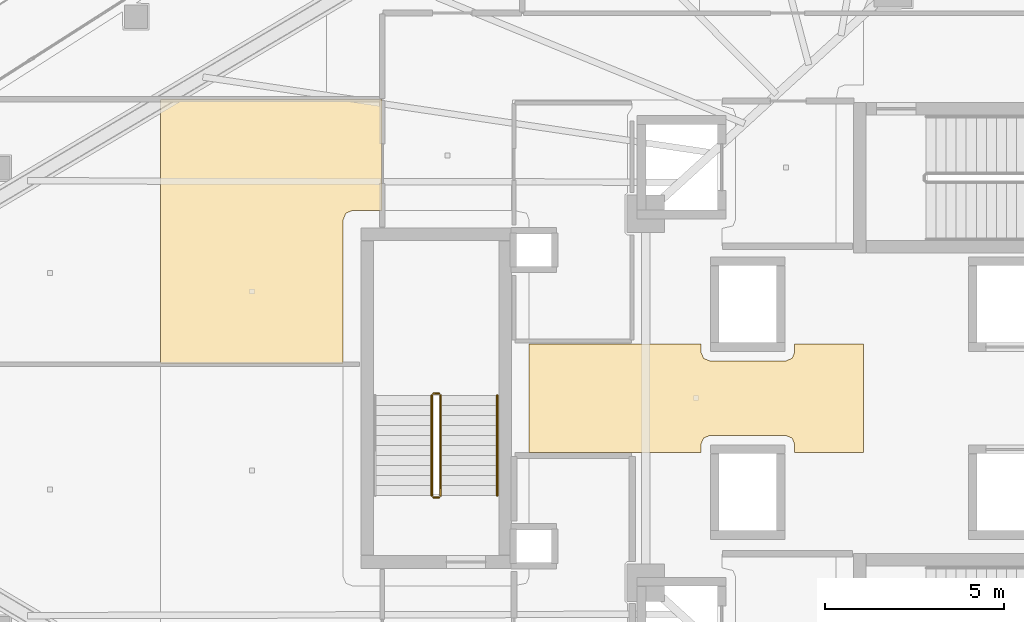
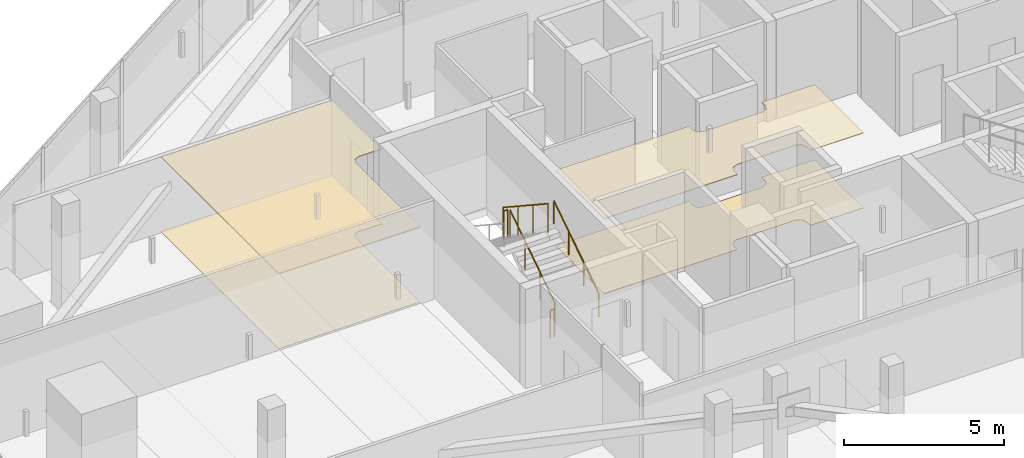
# One storey, part 37 of 43: 5 railings, 4 coverings.
"""IFC4 building model written with IfcOpenShell, lengths in metres."""

import ifcopenshell
import ifcopenshell.guid

model = None  # the IFC model being written
_history = None  # IfcOwnerHistory: only IFC2X3 demands one
_inside = {}  # id of a spatial element -> (the spatial element, [elements in it])
_under = {}  # id of a project, library or spatial element -> (it, [spatial elements below it])
_declared = {}  # id of a project -> (the project, [libraries it declares])
_typed = {}  # id of a type object -> (the type object, [elements of that type])
_made_of = {}  # id of a material, layer set ... -> (it, [elements and type objects made of it])


def new_model(schema):
    """Start an empty IFC model of exactly this schema.

    Asked for "IFC4X3", IfcOpenShell would pick the latest addendum, in which some entities
    have other attributes; the version numbers below select the first issue.
    IFC2X3 requires an IfcOwnerHistory on every rooted entity: one is made here for all.
    """
    global model, _history
    if schema == "IFC4X3":
        model = ifcopenshell.file(schema_version=(4, 3, 0, 0))
    else:
        model = ifcopenshell.file(schema=schema)
    _inside.clear()
    _under.clear()
    _declared.clear()
    _typed.clear()
    _made_of.clear()
    _history = None
    if model.schema == "IFC2X3":
        org = make("IfcOrganization", Name="unknown")
        user = make(
            "IfcPersonAndOrganization",
            ThePerson=make("IfcPerson", FamilyName="unknown"),
            TheOrganization=org,
        )
        app = make(
            "IfcApplication",
            ApplicationDeveloper=org,
            Version="unknown",
            ApplicationFullName="unknown",
            ApplicationIdentifier="unknown",
        )
        _history = make(
            "IfcOwnerHistory",
            OwningUser=user,
            OwningApplication=app,
            ChangeAction="ADDED",
            CreationDate=0,
        )
    return model


def make(cls, **values):
    """One entity of the class cls with the attributes given. An attribute that is None is left unset."""
    return model.create_entity(
        cls, **{name: value for name, value in values.items() if value is not None}
    )


def rooted(cls, **values):
    """An entity with a GlobalId (a new one), such as an element, a storey or a relation."""
    return make(cls, GlobalId=ifcopenshell.guid.new(), OwnerHistory=_history, **values)


def si_unit(unit_type, name, prefix=None):
    """IfcSIUnit, for example si_unit("LENGTHUNIT", "METRE", prefix="MILLI")."""
    return make("IfcSIUnit", UnitType=unit_type, Prefix=prefix, Name=name)


def assignment(units):
    """IfcUnitAssignment: the units of a project."""
    return None if units is None else make("IfcUnitAssignment", Units=units)


def point(xyz):
    """IfcCartesianPoint."""
    return None if xyz is None else make("IfcCartesianPoint", Coordinates=xyz)


def direction(xyz):
    """IfcDirection."""
    return None if xyz is None else make("IfcDirection", DirectionRatios=xyz)


def frame(location, z_axis=None, x_axis=None):
    """IfcAxis2Placement3D, a coordinate frame: its origin and axes. An axis left out is left unset."""
    return make(
        "IfcAxis2Placement3D",
        Location=point(location),
        Axis=direction(z_axis),
        RefDirection=direction(x_axis),
    )


def frame_2d(location, x_axis=None):
    """IfcAxis2Placement2D, a coordinate frame in the plane: its origin and x axis."""
    return make(
        "IfcAxis2Placement2D", Location=point(location), RefDirection=direction(x_axis)
    )


def origin():
    """The frame at (0, 0, 0) with its axes left unset."""
    return frame((0.0, 0.0, 0.0))


def origin_2d():
    """The frame at (0, 0) in the plane with its x axis left unset."""
    return frame_2d((0.0, 0.0))


def place(relative_to, where):
    """IfcLocalPlacement: puts the frame where relative to a parent placement (None: the world)."""
    return make(
        "IfcLocalPlacement", PlacementRelTo=relative_to, RelativePlacement=where
    )


def context(
    kind, dimensions, precision=None, world=None, true_north=None, identifier=None
):
    """IfcGeometricRepresentationContext, for example the 3D "Model" context."""
    return make(
        "IfcGeometricRepresentationContext",
        ContextIdentifier=identifier,
        ContextType=kind,
        CoordinateSpaceDimension=dimensions,
        Precision=precision,
        WorldCoordinateSystem=world,
        TrueNorth=true_north,
    )


def subcontext(parent, identifier, kind, view, scale=None):
    """IfcGeometricRepresentationSubContext, for example "Body" below "Model"."""
    return make(
        "IfcGeometricRepresentationSubContext",
        ContextIdentifier=identifier,
        ContextType=kind,
        ParentContext=parent,
        TargetScale=scale,
        TargetView=view,
    )


def project(units=None, contexts=None):
    """IfcProject with its units and contexts."""
    return rooted(
        "IfcProject",
        Name="project",
        RepresentationContexts=contexts,
        UnitsInContext=assignment(units),
    )


def spatial(cls, under=None, at=None, **own):
    """A site, building, storey or space (cls), placed at a placement, below another one or the project."""
    s = rooted(cls, ObjectPlacement=at, **own)
    if under is not None:
        _under.setdefault(under.id(), (under, []))[1].append(s)
    return s


def polyline(points):
    """IfcPolyline through the points."""
    return make("IfcPolyline", Points=[point(p) for p in points])


def profile(cls, at=None, kind="AREA", **sizes):
    """A parametric profile (cls). Its sizes go by their IFC names, for example OverallWidth=200.0."""
    return make(cls, ProfileType=kind, Position=at, **sizes)


def circle(**sizes):
    """IfcCircleProfileDef."""
    return profile("IfcCircleProfileDef", **sizes)


def outline(outer, holes=None, kind="AREA"):
    """IfcArbitraryClosedProfileDef: a profile drawn as a closed curve; with holes, ...WithVoids."""
    if holes is None:
        return make("IfcArbitraryClosedProfileDef", ProfileType=kind, OuterCurve=outer)
    return make(
        "IfcArbitraryProfileDefWithVoids",
        ProfileType=kind,
        OuterCurve=outer,
        InnerCurves=holes,
    )


def extrude(swept, where, along, depth):
    """IfcExtrudedAreaSolid: the profile swept, set in the frame where, extruded along a direction by depth."""
    return make(
        "IfcExtrudedAreaSolid",
        SweptArea=swept,
        Position=where,
        ExtrudedDirection=direction(along),
        Depth=depth,
    )


def shape(context_of_items, identifier, shape_type, items):
    """IfcShapeRepresentation: the items that make up one representation, for example the "Body"."""
    return make(
        "IfcShapeRepresentation",
        ContextOfItems=context_of_items,
        RepresentationIdentifier=identifier,
        RepresentationType=shape_type,
        Items=items,
    )


def material(Name=None, Category=None):
    """IfcMaterial."""
    return make("IfcMaterial", Name=Name, Category=Category)


def layer(
    of_material, thickness, ventilated=None, Name=None, Category=None, Priority=None
):
    """IfcMaterialLayer: one layer of a wall or slab, of a material (None: an air gap)."""
    return make(
        "IfcMaterialLayer",
        Material=of_material,
        LayerThickness=thickness,
        IsVentilated=ventilated,
        Name=Name,
        Category=Category,
        Priority=Priority,
    )


def layer_set(layers, Name=None):
    """IfcMaterialLayerSet."""
    return make("IfcMaterialLayerSet", MaterialLayers=layers, LayerSetName=Name)


def made_of(thing, what):
    """Note that an element or type object is made of a material, layer set ...; save() writes the relation."""
    if what is not None:
        _made_of.setdefault(what.id(), (what, []))[1].append(thing)
    return thing


def type_object(cls, material=None, **own):
    """A type object (cls), such as IfcWallType, which elements share."""
    return made_of(rooted(cls, **own), material)


def element(
    cls,
    number,
    at=None,
    inside=None,
    cuts=None,
    type_object=None,
    material=None,
    context=None,
    identifier="Body",
    shape_type=None,
    held_by="IfcProductDefinitionShape",
    body=None,
    shapes=None,
    **own,
):
    """One element of the class cls, such as IfcWall. Its Tag is "e" and its number.

    at: its placement. inside: the storey or other place that contains it. cuts: it is an
    opening in that element (IfcRelVoidsElement). A single representation is given by context,
    identifier, shape_type and body (its items); several are given by shapes. held_by: the class
    of the entity that holds the representations. save() writes the other relations.
    """
    e = rooted(cls, Tag="e%d" % number, ObjectPlacement=at, **own)
    if body is not None:
        shapes = [shape(context, identifier, shape_type, body)]
    if shapes is not None:
        e.Representation = make(held_by, Representations=shapes)
    if inside is not None:
        _inside.setdefault(inside.id(), (inside, []))[1].append(e)
    if cuts is not None:
        rooted(
            "IfcRelVoidsElement", RelatingBuildingElement=cuts, RelatedOpeningElement=e
        )
    if type_object is not None:
        _typed.setdefault(type_object.id(), (type_object, []))[1].append(e)
    return made_of(e, material)


def aggregate(whole, parts):
    """IfcRelAggregates: a whole, such as a stair, and the parts it consists of."""
    return rooted("IfcRelAggregates", RelatingObject=whole, RelatedObjects=parts)


def save(model, path):
    """Write the relations noted so far, then the file.

    IfcRelAggregates (storeys below a building ...), IfcRelContainedInSpatialStructure (elements
    in a storey), IfcRelDefinesByType, IfcRelAssociatesMaterial and IfcRelDeclares: one each for
    every whole, place, type object, material and project.
    """
    for whole, parts in _under.values():
        aggregate(whole, parts)
    for where, things in _inside.values():
        rooted(
            "IfcRelContainedInSpatialStructure",
            RelatedElements=things,
            RelatingStructure=where,
        )
    for kind, things in _typed.values():
        rooted("IfcRelDefinesByType", RelatedObjects=things, RelatingType=kind)
    for what, things in _made_of.values():
        rooted("IfcRelAssociatesMaterial", RelatedObjects=things, RelatingMaterial=what)
    for by, libraries in _declared.values():
        rooted("IfcRelDeclares", RelatingContext=by, RelatedDefinitions=libraries)
    model.write(path)


model = new_model("IFC4")

# Units and contexts
model_context = context("Model", 3, precision=1e-05, world=origin(), true_north=direction((0.0, 1.0)))
body_context = subcontext(model_context, "Body", "Model", "MODEL_VIEW")
ifc_project = project(units=[si_unit("LENGTHUNIT", "METRE"), si_unit("AREAUNIT", "SQUARE_METRE"), si_unit("VOLUMEUNIT", "CUBIC_METRE"), si_unit("PLANEANGLEUNIT", "RADIAN"), si_unit("MASSUNIT", "GRAM", prefix="KILO")], contexts=[model_context])

# Site, building, storey
site_placement = place(None, origin())
site = spatial("IfcSite", under=ifc_project, at=site_placement, CompositionType="ELEMENT")
building_placement = place(site_placement, origin())
building = spatial("IfcBuilding", under=site, at=building_placement, Name="Qorvath Tower", CompositionType="ELEMENT")
storey_placement = place(building_placement, frame((0.0, 0.0, 150.300048828125)))
storey = spatial("IfcBuildingStorey", under=building, at=storey_placement, Name="L34", CompositionType="ELEMENT", Elevation=150.300048828125)

# Coverings
ifc_material_1 = material(Name="Acoustic mineral fibre ceiling tile", Category="gypsum")
ifc_layer_1 = layer(ifc_material_1, 0.030029296875)
ifc_layer_set_1 = layer_set([ifc_layer_1], Name="COV-CEIL")
covering_type_1 = type_object("IfcCoveringType", Name="COV-CEIL", PredefinedType="CEILING", material=ifc_layer_set_1)
covering_1_placement = place(storey_placement, frame((0.0, 0.0, 2.849853515625)))
element("IfcCovering", 1, at=covering_1_placement, inside=storey, type_object=covering_type_1, Name="L34 Suspended Acoustic Ceiling 008", PredefinedType="CEILING", context=body_context, shape_type="SweptSolid", body=[
    extrude(outline(polyline([(-24.421142578125, -1.514892578125), (-24.421142578125, 1.514892578125), (-26.340087890625, 1.514892578125), (-26.340087890625, 1.2900390625), (-26.413330078125, 1.11328125), (-26.590087890625, 1.0400390625), (-28.7099609375, 1.0400390625), (-28.88671875, 1.11328125), (-28.9599609375, 1.2900390625), (-28.9599609375, 1.514892578125), (-33.760009765625, 1.514892578125), (-33.760009765625, -1.514892578125), (-28.9599609375, -1.514892578125), (-28.9599609375, -1.2900390625), (-28.88671875, -1.11328125), (-28.7099609375, -1.0400390625), (-26.590087890625, -1.0400390625), (-26.413330078125, -1.11328125), (-26.340087890625, -1.2900390625), (-26.340087890625, -1.514892578125), (-24.421142578125, -1.514892578125)])), origin(), (0.0, 0.0, 1.0), 0.030029296875),
])
covering_2_placement = place(storey_placement, frame((0.0, 0.0, 2.849853515625)))
element("IfcCovering", 2, at=covering_2_placement, inside=storey, type_object=covering_type_1, Name="L34 Suspended Acoustic Ceiling 032", PredefinedType="CEILING", context=body_context, shape_type="SweptSolid", body=[
    extrude(outline(polyline([(-37.863037109375, 8.3369140625), (-44.051513671875, 8.3369140625), (-44.051513671875, 0.96630859375), (-38.949951171875, 0.96630859375), (-38.949951171875, 4.989990234375), (-38.876708984375, 5.166748046875), (-38.699951171875, 5.239990234375), (-37.863037109375, 5.239990234375), (-37.863037109375, 8.3369140625)])), origin(), (0.0, 0.0, 1.0), 0.030029296875),
])
ifc_material_2 = material(Name="Low-VOC modular carpet tile", Category="textile")
ifc_layer_2 = layer(ifc_material_2, 0.014892578125)
ifc_layer_set_2 = layer_set([ifc_layer_2], Name="COV-FLOOR-CPT")
covering_type_2 = type_object("IfcCoveringType", Name="COV-FLOOR-CPT", PredefinedType="FLOORING", material=ifc_layer_set_2)
covering_3_placement = place(storey_placement, origin())
element("IfcCovering", 3, at=covering_3_placement, inside=storey, type_object=covering_type_2, Name="L34 Floor Finish 032", PredefinedType="FLOORING", context=body_context, shape_type="SweptSolid", body=[
    extrude(outline(polyline([(-37.863037109375, 8.3369140625), (-44.051513671875, 8.3369140625), (-44.051513671875, 0.96630859375), (-38.949951171875, 0.96630859375), (-38.949951171875, 4.989990234375), (-38.876708984375, 5.166748046875), (-38.699951171875, 5.239990234375), (-37.863037109375, 5.239990234375), (-37.863037109375, 8.3369140625)])), origin(), (0.0, 0.0, 1.0), 0.014892578125),
])
ifc_material_3 = material(Name="Polished epoxy terrazzo flooring", Category="concrete")
ifc_layer_3 = layer(ifc_material_3, 0.02001953125)
ifc_layer_set_3 = layer_set([ifc_layer_3], Name="COV-FLOOR-TRZ")
covering_type_3 = type_object("IfcCoveringType", Name="COV-FLOOR-TRZ", PredefinedType="FLOORING", material=ifc_layer_set_3)
covering_4_placement = place(storey_placement, origin())
element("IfcCovering", 4, at=covering_4_placement, inside=storey, type_object=covering_type_3, Name="L34 Floor Finish 008", PredefinedType="FLOORING", context=body_context, shape_type="SweptSolid", body=[
    extrude(outline(polyline([(-24.421142578125, -1.514892578125), (-24.421142578125, 1.514892578125), (-26.340087890625, 1.514892578125), (-26.340087890625, 1.2900390625), (-26.413330078125, 1.11328125), (-26.590087890625, 1.0400390625), (-28.7099609375, 1.0400390625), (-28.88671875, 1.11328125), (-28.9599609375, 1.2900390625), (-28.9599609375, 1.514892578125), (-33.760009765625, 1.514892578125), (-33.760009765625, -1.514892578125), (-28.9599609375, -1.514892578125), (-28.9599609375, -1.2900390625), (-28.88671875, -1.11328125), (-28.7099609375, -1.0400390625), (-26.590087890625, -1.0400390625), (-26.413330078125, -1.11328125), (-26.340087890625, -1.2900390625), (-26.340087890625, -1.514892578125), (-24.421142578125, -1.514892578125)])), origin(), (0.0, 0.0, 1.0), 0.014892578125),
])

# Railings
ifc_material_4 = material(Name="Painted galvanised steel", Category="steel")
railing_type_1 = type_object("IfcRailingType", Name="RL-STR-GRD", PredefinedType="GUARDRAIL", material=ifc_material_4)
railing_1_placement = place(storey_placement, frame((-36.22998046875, -2.719970703125, 0.18408203125)))
element("IfcRailing", 5, at=railing_1_placement, inside=storey, type_object=railing_type_1, Name="L34 TS3 stair guard 1", PredefinedType="GUARDRAIL", context=body_context, shape_type="SweptSolid", body=[
    extrude(circle(Radius=0.02392578125, at=origin_2d()), frame((0.0, 0.0, 1.076171875), z_axis=(0.0, 0.835597507184, 0.549342157483), x_axis=(-1.0, 0.0, 0.0)), (0.0, 0.0, 1.0), 3.35107421875),
    extrude(circle(Radius=0.02099609375, at=origin_2d()), origin(), (0.0, 0.0, 1.0), 1.052001953125),
    extrude(circle(Radius=0.02099609375, at=origin_2d()), frame((0.0, 0.933349609375, 0.613525390625)), (0.0, 0.0, 1.0), 1.052001953125),
    extrude(circle(Radius=0.02099609375, at=origin_2d()), frame((0.0, 1.86669921875, 1.227294921875)), (0.0, 0.0, 1.0), 1.052001953125),
    extrude(circle(Radius=0.02099609375, at=origin_2d()), frame((0.0, 2.800048828125, 1.8408203125)), (0.0, 0.0, 1.0), 1.052001953125),
])
railing_2_placement = place(storey_placement, frame((-36.280029296875, 0.1298828125, 2.02490234375)))
element("IfcRailing", 6, at=railing_2_placement, inside=storey, type_object=railing_type_1, Name="L34 TS3 stair guard 2", PredefinedType="GUARDRAIL", context=body_context, shape_type="SweptSolid", body=[
    extrude(circle(Radius=0.02392578125, at=origin_2d()), frame((0.0, 0.0, 1.076171875), z_axis=(-1.0, 0.0, 0.0), x_axis=(0.0, -1.0, 0.0)), (0.0, 0.0, 1.0), 0.14990234375),
    extrude(circle(Radius=0.02099609375, at=origin_2d()), origin(), (0.0, 0.0, 1.0), 1.052001953125),
    extrude(circle(Radius=0.02099609375, at=origin_2d()), frame((-0.14990234375, 0.0, 0.0)), (0.0, 0.0, 1.0), 1.052001953125),
])
railing_3_placement = place(storey_placement, frame((-36.47998046875, 0.080078125, 2.208984375)))
element("IfcRailing", 7, at=railing_3_placement, inside=storey, type_object=railing_type_1, Name="L34 TS3 stair guard 3", PredefinedType="GUARDRAIL", context=body_context, shape_type="SweptSolid", body=[
    extrude(circle(Radius=0.02392578125, at=origin_2d()), frame((0.0, 0.0, 1.076171875), z_axis=(0.0, -0.83556406348, 0.549393024911), x_axis=(1.0, 0.0, 0.0)), (0.0, 0.0, 1.0), 3.35107421875),
    extrude(circle(Radius=0.02099609375, at=origin_2d()), origin(), (0.0, 0.0, 1.0), 1.052001953125),
    extrude(circle(Radius=0.02099609375, at=origin_2d()), frame((0.0, -0.933349609375, 0.61376953125)), (0.0, 0.0, 1.0), 1.052001953125),
    extrude(circle(Radius=0.02099609375, at=origin_2d()), frame((0.0, -1.86669921875, 1.227294921875)), (0.0, 0.0, 1.0), 1.052001953125),
    extrude(circle(Radius=0.02099609375, at=origin_2d()), frame((0.0, -2.800048828125, 1.841064453125)), (0.0, 0.0, 1.0), 1.052001953125),
])
railing_4_placement = place(storey_placement, frame((-36.280029296875, -2.77001953125, 0.0)))
element("IfcRailing", 8, at=railing_4_placement, inside=storey, type_object=railing_type_1, Name="L34 TS3 stair guard 4", PredefinedType="GUARDRAIL", context=body_context, shape_type="SweptSolid", body=[
    extrude(circle(Radius=0.02392578125, at=origin_2d()), frame((0.0, 0.0, 1.076171875), z_axis=(-1.0, 0.0, 0.0), x_axis=(0.0, -1.0, 0.0)), (0.0, 0.0, 1.0), 0.14990234375),
    extrude(circle(Radius=0.02099609375, at=origin_2d()), origin(), (0.0, 0.0, 1.0), 1.052001953125),
    extrude(circle(Radius=0.02099609375, at=origin_2d()), frame((-0.14990234375, 0.0, 0.0)), (0.0, 0.0, 1.0), 1.052001953125),
])
ifc_material_5 = material(Name="Brushed stainless steel AISI 304", Category="steel")
railing_type_2 = type_object("IfcRailingType", Name="RL-STR-HND", PredefinedType="HANDRAIL", material=ifc_material_5)
railing_5_placement = place(storey_placement, frame((-34.64990234375, -2.719970703125, 0.18408203125)))
element("IfcRailing", 9, at=railing_5_placement, inside=storey, type_object=railing_type_2, Name="L34 TS3 stair handrail 1", PredefinedType="HANDRAIL", context=body_context, shape_type="SweptSolid", body=[
    extrude(circle(Radius=0.02392578125, at=origin_2d()), frame((0.0, 0.0, 0.8759765625), z_axis=(0.0, 0.835597507184, 0.549342157483), x_axis=(-1.0, 0.0, 0.0)), (0.0, 0.0, 1.0), 3.35107421875),
    extrude(circle(Radius=0.02099609375, at=origin_2d()), origin(), (0.0, 0.0, 1.0), 0.851806640625),
    extrude(circle(Radius=0.02099609375, at=origin_2d()), frame((0.0, 0.933349609375, 0.613525390625)), (0.0, 0.0, 1.0), 0.851806640625),
    extrude(circle(Radius=0.02099609375, at=origin_2d()), frame((0.0, 1.86669921875, 1.227294921875)), (0.0, 0.0, 1.0), 0.851806640625),
    extrude(circle(Radius=0.02099609375, at=origin_2d()), frame((0.0, 2.800048828125, 1.8408203125)), (0.0, 0.0, 1.0), 0.851806640625),
])

save(model, "model.ifc")
